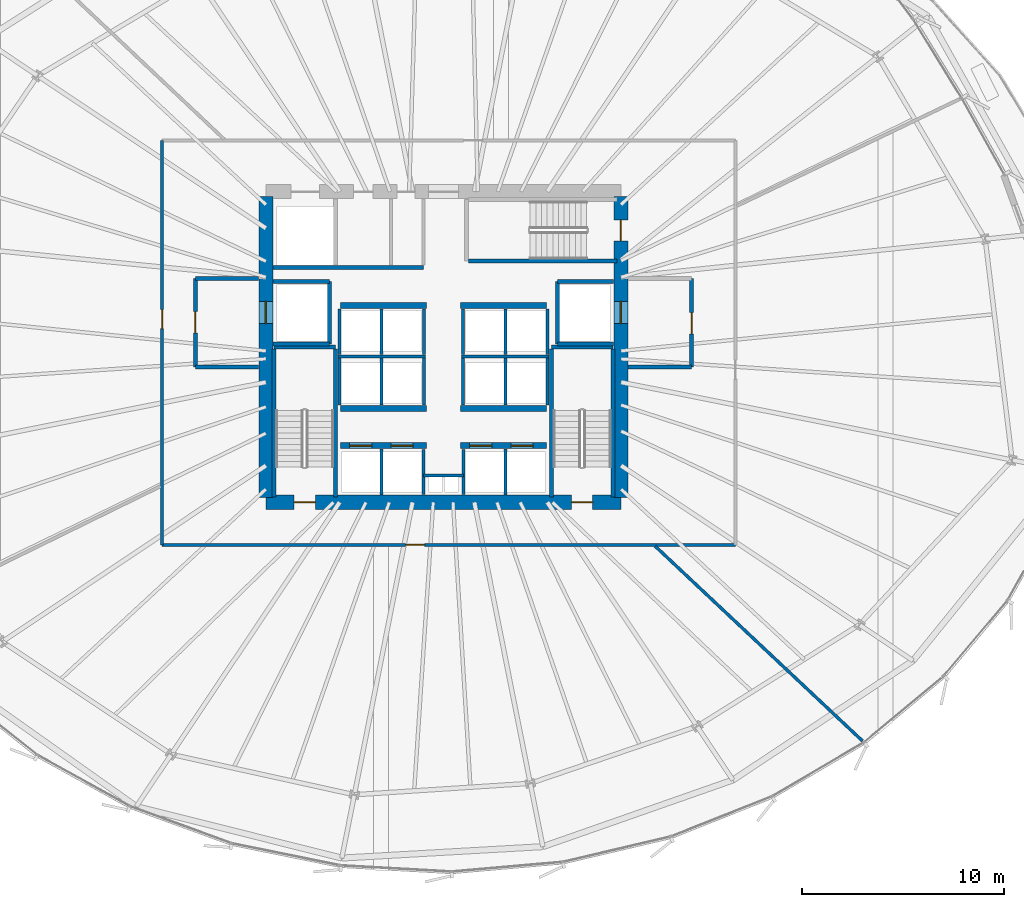
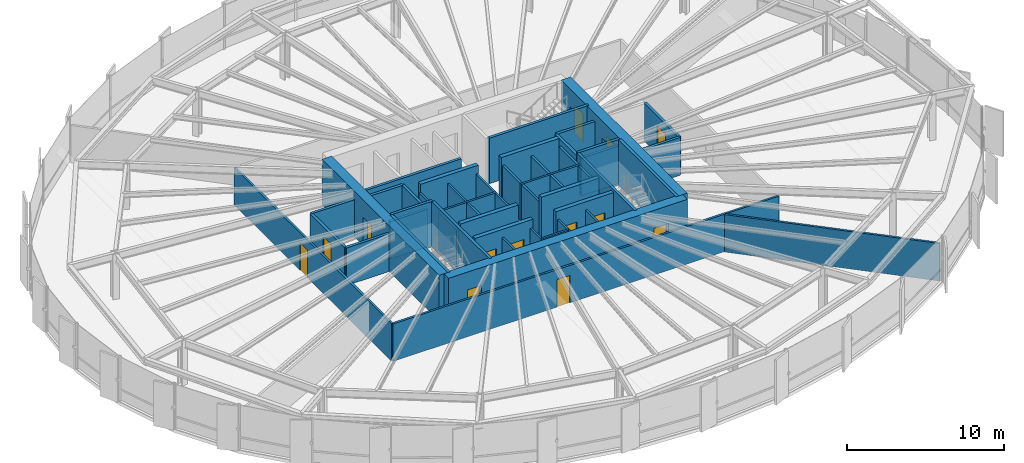
# One storey, part 31 of 39: 50 walls, 13 doors, 13 openings.
"""IFC4 building model written with IfcOpenShell, lengths in metres."""

from ifc_helpers import new_model, si_unit, direction, frame, frame_2d, origin, place, context, subcontext, project, spatial, rectangle, extrude, source, transform, mapped, material, layer, layer_set, type_object, element, fill, save


model = new_model("IFC4")

# Units and contexts
model_context = context("Model", 3, precision=1e-05, world=origin(), true_north=direction((0.0, 1.0)))
body_context = subcontext(model_context, "Body", "Model", "MODEL_VIEW")
ifc_project = project(units=[si_unit("LENGTHUNIT", "METRE"), si_unit("AREAUNIT", "SQUARE_METRE"), si_unit("VOLUMEUNIT", "CUBIC_METRE"), si_unit("PLANEANGLEUNIT", "RADIAN"), si_unit("MASSUNIT", "GRAM", prefix="KILO"), si_unit("THERMODYNAMICTEMPERATUREUNIT", "KELVIN")], contexts=[model_context])

# Site, building, storey
site_placement = place(None, origin())
site = spatial("IfcSite", under=ifc_project, at=site_placement, CompositionType="ELEMENT")
building_placement = place(site_placement, origin())
building = spatial("IfcBuilding", under=site, at=building_placement, Name="Kethvar Cultural Tower", CompositionType="ELEMENT")
storey_placement = place(building_placement, frame((0.0, 0.0, 33.39990234375)))
storey = spatial("IfcBuildingStorey", under=building, at=storey_placement, Name="L07", CompositionType="ELEMENT", Elevation=33.39990234375)

# Wall, openings, doors
ifc_material_1 = material(Name="Concrete C60/75", Category="concrete")
ifc_layer_1 = layer(ifc_material_1, 0.699951171875, Name="Concrete C60/75", Category="concrete")
ifc_layer_set_1 = layer_set([ifc_layer_1], Name="Concrete C60/75 (700 mm)")
wall_type_1 = type_object("IfcWallType", Name="WL-CORE-700", PredefinedType="SHEAR", material=ifc_layer_set_1)
wall_1_placement = place(storey_placement, frame((38.0, 20.10009765625, 0.0), z_axis=(0.0, 0.0, 1.0), x_axis=(1.0, 0.0, 0.0)))
wall_1 = element("IfcWall", 1, at=wall_1_placement, inside=storey, type_object=wall_type_1, Name="L07 Core Shear Wall S", PredefinedType="SHEAR", context=body_context, shape_type="SweptSolid", body=[
    extrude(rectangle(XDim=17.60009765625, YDim=0.699951171875, at=frame_2d((8.800048828125, 0.0))), origin(), (0.0, 0.0, 1.0), 3.550048828125),
])
opening_1_placement = place(wall_1_placement, frame((1.39990234375, 0.0, 0.0)))
opening_1 = element("IfcOpeningElement", 2, at=opening_1_placement, cuts=wall_1, Name="Opening D-L07-S1", PredefinedType="OPENING", context=body_context, shape_type="SweptSolid", body=[
    extrude(rectangle(XDim=1.050048828125, YDim=2.14990234375, at=frame_2d((0.52490234375, 1.074951171875))), frame((0.0, 0.35986328125, 0.0), z_axis=(0.0, -1.0, 0.0), x_axis=(1.0, 0.0, 0.0)), (0.0, 0.0, 1.0), 0.719970703125),
])
opening_2_placement = place(wall_1_placement, frame((15.14990234375, 0.0, 0.0)))
opening_2 = element("IfcOpeningElement", 3, at=opening_2_placement, cuts=wall_1, Name="Opening D-L07-ST2", PredefinedType="OPENING", context=body_context, shape_type="SweptSolid", body=[
    extrude(rectangle(XDim=1.050048828125, YDim=2.14990234375, at=frame_2d((0.52490234375, 1.074951171875))), frame((0.0, 0.35986328125, 0.0), z_axis=(0.0, -1.0, 0.0), x_axis=(1.0, 0.0, 0.0)), (0.0, 0.0, 1.0), 0.719970703125),
])
ifc_material_2 = material(Name="Steel S355J2", Category="steel")
door_type_1 = type_object("IfcDoorType", Name="DR-FD60-1050", OperationType="NOTDEFINED", PredefinedType="DOOR", material=ifc_material_2)
shared_shape_1 = source(origin(), body_context, "Body", "SweptSolid", [
    extrude(rectangle(XDim=1.050048828125, YDim=2.14990234375, at=frame_2d((0.52490234375, 1.074951171875))), frame((0.0, 0.02490234375, 0.0), z_axis=(0.0, -1.0, 0.0), x_axis=(1.0, 0.0, 0.0)), (0.0, 0.0, 1.0), 0.050048828125),
])
door_1_placement = place(opening_1_placement, origin())
door_1 = element("IfcDoor", 4, at=door_1_placement, inside=storey, type_object=door_type_1, Name="L07 Exit Stair 1 Door", OperationType="SINGLE_SWING_LEFT", OverallHeight=2.14990234375, OverallWidth=1.050048828125, PredefinedType="DOOR", context=body_context, shape_type="MappedRepresentation", body=[
    mapped(shared_shape_1, transform((0.0, 0.0, 0.0), scale=1.0)),
])
fill(opening_1, door_1)
door_2_placement = place(opening_2_placement, origin())
door_2 = element("IfcDoor", 5, at=door_2_placement, inside=storey, type_object=door_type_1, Name="L07 Exit Stair 2 Door", OperationType="SINGLE_SWING_RIGHT", OverallHeight=2.14990234375, OverallWidth=1.050048828125, PredefinedType="DOOR", context=body_context, shape_type="MappedRepresentation", body=[
    mapped(shared_shape_1, transform((0.0, 0.0, 0.0), scale=1.0)),
])
fill(opening_2, door_2)

# Wall, opening, door
wall_2_placement = place(storey_placement, frame((38.0, 35.260009765625, 0.0), z_axis=(0.0, 0.0, 1.0), x_axis=(0.0, -1.0, 0.0)))
wall_2 = element("IfcWall", 6, at=wall_2_placement, inside=storey, type_object=wall_type_1, Name="L07 Core Shear Wall W", PredefinedType="SHEAR", context=body_context, shape_type="SweptSolid", body=[
    extrude(rectangle(XDim=14.919921875, YDim=0.699951171875, at=frame_2d((7.4599609375, 0.0))), origin(), (0.0, 0.0, 1.0), 3.550048828125),
])
opening_3_placement = place(wall_2_placement, frame((5.2099609375, 0.0, 0.0)))
opening_3 = element("IfcOpeningElement", 7, at=opening_3_placement, cuts=wall_2, Name="Opening LD-1", PredefinedType="OPENING", context=body_context, shape_type="SweptSolid", body=[
    extrude(rectangle(XDim=1.10009765625, YDim=2.199951171875, at=frame_2d((0.550048828125, 1.10009765625))), frame((0.0, 0.35986328125, 0.0), z_axis=(0.0, -1.0, 0.0), x_axis=(1.0, 0.0, 0.0)), (0.0, 0.0, 1.0), 0.719970703125),
])
door_type_2 = type_object("IfcDoorType", Name="DR-LIFT-SLIDE-1100", OperationType="NOTDEFINED", PredefinedType="DOOR", material=ifc_material_2)
shared_shape_2 = source(origin(), body_context, "Body", "SweptSolid", [
    extrude(rectangle(XDim=1.10009765625, YDim=2.199951171875, at=frame_2d((0.550048828125, 1.10009765625))), frame((0.0, 0.02490234375, 0.0), z_axis=(0.0, -1.0, 0.0), x_axis=(1.0, 0.0, 0.0)), (0.0, 0.0, 1.0), 0.050048828125),
])
door_3_placement = place(opening_3_placement, origin())
door_3 = element("IfcDoor", 8, at=door_3_placement, inside=storey, type_object=door_type_2, Name="L07 Firefighting Lift Landing Door FFL-01", OperationType="SLIDING_TO_LEFT", OverallHeight=2.199951171875, OverallWidth=1.10009765625, PredefinedType="DOOR", context=body_context, shape_type="MappedRepresentation", body=[
    mapped(shared_shape_2, transform((0.0, 0.0, 0.0), scale=1.0)),
])
fill(opening_3, door_3)

# Wall, openings, doors
wall_3_placement = place(storey_placement, frame((55.60009765625, 20.340087890625, 0.0), z_axis=(0.0, 0.0, 1.0), x_axis=(0.0, 1.0, 0.0)))
wall_3 = element("IfcWall", 9, at=wall_3_placement, inside=storey, type_object=wall_type_1, Name="L07 Core Shear Wall E", PredefinedType="SHEAR", context=body_context, shape_type="SweptSolid", body=[
    extrude(rectangle(XDim=14.919921875, YDim=0.699951171875, at=frame_2d((7.4599609375, 0.0))), origin(), (0.0, 0.0, 1.0), 3.550048828125),
])
opening_4_placement = place(wall_3_placement, frame((12.7099609375, 0.0, 0.0)))
opening_4 = element("IfcOpeningElement", 10, at=opening_4_placement, cuts=wall_3, Name="Opening D-L07-S3", PredefinedType="OPENING", context=body_context, shape_type="SweptSolid", body=[
    extrude(rectangle(XDim=1.050048828125, YDim=2.14990234375, at=frame_2d((0.52490234375, 1.074951171875))), frame((0.0, 0.35986328125, 0.0), z_axis=(0.0, -1.0, 0.0), x_axis=(1.0, 0.0, 0.0)), (0.0, 0.0, 1.0), 0.719970703125),
])
opening_5_placement = place(wall_3_placement, frame((8.610107421875, 0.0, 0.0)))
opening_5 = element("IfcOpeningElement", 11, at=opening_5_placement, cuts=wall_3, Name="Opening LD-2", PredefinedType="OPENING", context=body_context, shape_type="SweptSolid", body=[
    extrude(rectangle(XDim=1.10009765625, YDim=2.199951171875, at=frame_2d((0.550048828125, 1.10009765625))), frame((0.0, 0.35986328125, 0.0), z_axis=(0.0, -1.0, 0.0), x_axis=(1.0, 0.0, 0.0)), (0.0, 0.0, 1.0), 0.719970703125),
])
door_4_placement = place(opening_4_placement, origin())
door_4 = element("IfcDoor", 12, at=door_4_placement, inside=storey, type_object=door_type_1, Name="L07 Exit Stair 3 Door", OperationType="SINGLE_SWING_LEFT", OverallHeight=2.14990234375, OverallWidth=1.050048828125, PredefinedType="DOOR", context=body_context, shape_type="MappedRepresentation", body=[
    mapped(shared_shape_1, transform((0.0, 0.0, 0.0), scale=1.0)),
])
fill(opening_4, door_4)
door_5_placement = place(opening_5_placement, origin())
door_5 = element("IfcDoor", 13, at=door_5_placement, inside=storey, type_object=door_type_2, Name="L07 Firefighting Lift Landing Door FFL-02", OperationType="SLIDING_TO_RIGHT", OverallHeight=2.199951171875, OverallWidth=1.10009765625, PredefinedType="DOOR", context=body_context, shape_type="MappedRepresentation", body=[
    mapped(shared_shape_2, transform((0.0, 0.0, 0.0), scale=1.0)),
])
fill(opening_5, door_5)

# Walls
ifc_material_3 = material(Name="Gypsum Fireboard Partition")
ifc_layer_2 = layer(ifc_material_3, 0.14990234375, Name="Gypsum Fireboard Partition")
ifc_layer_set_2 = layer_set([ifc_layer_2], Name="Gypsum Fireboard Partition (150 mm)")
wall_type_2 = type_object("IfcWallType", Name="WL-FIRE-150", PredefinedType="PARTITIONING", material=ifc_layer_set_2)
wall_4_placement = place(storey_placement, frame((45.800048828125, 21.419921875, 0.0), z_axis=(0.0, 0.0, 1.0), x_axis=(1.0, 0.0, 0.0)))
element("IfcWall", 14, at=wall_4_placement, inside=storey, type_object=wall_type_2, Name="L07 Core Riser Wall", PredefinedType="PARTITIONING", context=body_context, shape_type="SweptSolid", body=[
    extrude(rectangle(XDim=2.0, YDim=0.14990234375, at=frame_2d((1.0, 0.0))), origin(), (0.0, 0.0, 1.0), 2.925048828125),
])
for number, where, z_axis, x_axis, name in (
    (15, (45.800048828125, 20.47998046875, 0.0), (0.0, 0.0, 1.0), (0.0, 1.0, 0.0), "L07 Core Riser West Wall"),
    (16, (47.800048828125, 20.47998046875, 0.0), (0.0, 0.0, 1.0), (0.0, 1.0, 0.0), "L07 Core Riser East Wall"),
):
    element("IfcWall", number, at=place(storey_placement, frame(where, z_axis=z_axis, x_axis=x_axis)), inside=storey, type_object=wall_type_2, Name=name, PredefinedType="PARTITIONING", context=body_context, shape_type="SweptSolid", body=[
        extrude(rectangle(XDim=2.239990234375, YDim=0.14990234375, at=frame_2d((1.1201171875, 0.0))), origin(), (0.0, 0.0, 1.0), 2.925048828125),
    ])
for number, where, z_axis, x_axis, name in (
    (17, (43.72509765625, 20.4599609375, 0.0), (0.0, 0.0, 1.0), (0.0, 1.0, 0.0), "L07 Low-Rise Lift Shaft Divider W"),
    (18, (49.875, 20.4599609375, 0.0), (0.0, 0.0, 1.0), (0.0, 1.0, 0.0), "L07 Low-Rise Lift Shaft Divider E"),
):
    element("IfcWall", number, at=place(storey_placement, frame(where, z_axis=z_axis, x_axis=x_axis)), inside=storey, type_object=wall_type_2, Name=name, PredefinedType="PARTITIONING", context=body_context, shape_type="SweptSolid", body=[
        extrude(rectangle(XDim=2.27001953125, YDim=0.14990234375, at=frame_2d((1.135009765625, 0.0))), origin(), (0.0, 0.0, 1.0), 2.925048828125),
    ])
wall_5_placement = place(storey_placement, frame((41.580078125, 27.324951171875, 0.0), z_axis=(0.0, 0.0, 1.0), x_axis=(1.0, 0.0, 0.0)))
element("IfcWall", 19, at=wall_5_placement, inside=storey, type_object=wall_type_2, Name="L07 Mid-High Lift Shaft Back Wall W", PredefinedType="PARTITIONING", context=body_context, shape_type="SweptSolid", body=[
    extrude(rectangle(XDim=4.31982421875, YDim=0.14990234375, at=frame_2d((2.159912109375, 0.0))), origin(), (0.0, 0.0, 1.0), 2.925048828125),
])
wall_6_placement = place(storey_placement, frame((47.699951171875, 27.324951171875, 0.0), z_axis=(0.0, 0.0, 1.0), x_axis=(1.0, 0.0, 0.0)))
element("IfcWall", 20, at=wall_6_placement, inside=storey, type_object=wall_type_2, Name="L07 Mid-High Lift Shaft Back Wall E", PredefinedType="PARTITIONING", context=body_context, shape_type="SweptSolid", body=[
    extrude(rectangle(XDim=4.320068359375, YDim=0.14990234375, at=frame_2d((2.16015625, 0.0))), origin(), (0.0, 0.0, 1.0), 2.925048828125),
])
for number, where, z_axis, x_axis, name in (
    (21, (41.64990234375, 24.919921875, 0.0), (0.0, 0.0, 1.0), (0.0, 1.0, 0.0), "L07 Mid-Rise Lift Shaft Outer Wall W"),
    (22, (43.72509765625, 24.919921875, 0.0), (0.0, 0.0, 1.0), (0.0, 1.0, 0.0), "L07 Mid-Rise Lift Shaft Divider W"),
    (23, (45.824951171875, 24.919921875, 0.0), (0.0, 0.0, 1.0), (0.0, 1.0, 0.0), "L07 Mid-Rise Lift Shaft Concourse Wall W"),
    (24, (47.77490234375, 24.919921875, 0.0), (0.0, 0.0, 1.0), (0.0, 1.0, 0.0), "L07 Mid-Rise Lift Shaft Concourse Wall E"),
    (25, (49.875, 24.919921875, 0.0), (0.0, 0.0, 1.0), (0.0, 1.0, 0.0), "L07 Mid-Rise Lift Shaft Divider E"),
    (26, (51.949951171875, 24.919921875, 0.0), (0.0, 0.0, 1.0), (0.0, 1.0, 0.0), "L07 Mid-Rise Lift Shaft Outer Wall E"),
):
    element("IfcWall", number, at=place(storey_placement, frame(where, z_axis=z_axis, x_axis=x_axis)), inside=storey, type_object=wall_type_2, Name=name, PredefinedType="PARTITIONING", context=body_context, shape_type="SweptSolid", body=[
        extrude(rectangle(XDim=2.320068359375, YDim=0.14990234375, at=frame_2d((1.16015625, 0.0))), origin(), (0.0, 0.0, 1.0), 2.925048828125),
    ])
for number, where, z_axis, x_axis, name in (
    (27, (41.64990234375, 27.409912109375, 0.0), (0.0, 0.0, 1.0), (0.0, 1.0, 0.0), "L07 High-Rise Lift Shaft Outer Wall W"),
    (28, (43.72509765625, 27.409912109375, 0.0), (0.0, 0.0, 1.0), (0.0, 1.0, 0.0), "L07 High-Rise Lift Shaft Divider W"),
    (29, (45.824951171875, 27.409912109375, 0.0), (0.0, 0.0, 1.0), (0.0, 1.0, 0.0), "L07 High-Rise Lift Shaft Concourse Wall W"),
    (30, (47.77490234375, 27.409912109375, 0.0), (0.0, 0.0, 1.0), (0.0, 1.0, 0.0), "L07 High-Rise Lift Shaft Concourse Wall E"),
    (31, (49.875, 27.409912109375, 0.0), (0.0, 0.0, 1.0), (0.0, 1.0, 0.0), "L07 High-Rise Lift Shaft Divider E"),
    (32, (51.949951171875, 27.409912109375, 0.0), (0.0, 0.0, 1.0), (0.0, 1.0, 0.0), "L07 High-Rise Lift Shaft Outer Wall E"),
):
    element("IfcWall", number, at=place(storey_placement, frame(where, z_axis=z_axis, x_axis=x_axis)), inside=storey, type_object=wall_type_2, Name=name, PredefinedType="PARTITIONING", context=body_context, shape_type="SweptSolid", body=[
        extrude(rectangle(XDim=2.27001953125, YDim=0.14990234375, at=frame_2d((1.135009765625, 0.0))), origin(), (0.0, 0.0, 1.0), 2.925048828125),
    ])

# Wall, opening, door
wall_7_placement = place(storey_placement, frame((32.85009765625, 17.97998046875, 0.0), z_axis=(0.0, 0.0, 1.0), x_axis=(1.0, 0.0, 0.0)))
wall_7 = element("IfcWall", 33, at=wall_7_placement, inside=storey, type_object=wall_type_2, Name="L07 Corridor Rated Wall S", PredefinedType="PARTITIONING", context=body_context, shape_type="SweptSolid", body=[
    extrude(rectangle(XDim=28.419921875, YDim=0.14990234375, at=frame_2d((14.2099609375, 0.0))), origin(), (0.0, 0.0, 1.0), 2.925048828125),
])
opening_6_placement = place(wall_7_placement, frame((12.06982421875, 0.0, 0.0)))
opening_6 = element("IfcOpeningElement", 34, at=opening_6_placement, cuts=wall_7, Name="Opening D-L07-01", PredefinedType="OPENING", context=body_context, shape_type="SweptSolid", body=[
    extrude(rectangle(XDim=0.949951171875, YDim=2.14990234375, at=frame_2d((0.47509765625, 1.074951171875))), frame((0.0, 0.0849609375, 0.0), z_axis=(0.0, -1.0, 0.0), x_axis=(1.0, 0.0, 0.0)), (0.0, 0.0, 1.0), 0.169921875),
])
ifc_material_4 = material(Name="Architectural Oak Timber", Category="wood")
door_type_3 = type_object("IfcDoorType", Name="DR-FD30-950", OperationType="NOTDEFINED", PredefinedType="DOOR", material=ifc_material_4)
shared_shape_3 = source(origin(), body_context, "Body", "SweptSolid", [
    extrude(rectangle(XDim=0.949951171875, YDim=2.14990234375, at=frame_2d((0.47509765625, 1.074951171875))), frame((0.0, 0.02490234375, 0.0), z_axis=(0.0, -1.0, 0.0), x_axis=(1.0, 0.0, 0.0)), (0.0, 0.0, 1.0), 0.050048828125),
])
door_6_placement = place(opening_6_placement, origin())
door_6 = element("IfcDoor", 35, at=door_6_placement, inside=storey, type_object=door_type_3, Name="L07 Permanent Collection Library 01 Door", OperationType="SINGLE_SWING_RIGHT", OverallHeight=2.14990234375, OverallWidth=0.949951171875, PredefinedType="DOOR", context=body_context, shape_type="MappedRepresentation", body=[
    mapped(shared_shape_3, transform((0.0, 0.0, 0.0), scale=1.0)),
])
fill(opening_6, door_6)

wall_8_placement = place(storey_placement, frame((32.85009765625, 38.0400390625, 0.0), z_axis=(0.0, 0.0, 1.0), x_axis=(0.0, -1.0, 0.0)))
wall_8 = element("IfcWall", 36, at=wall_8_placement, inside=storey, type_object=wall_type_2, Name="L07 Corridor Rated Wall W", PredefinedType="PARTITIONING", context=body_context, shape_type="SweptSolid", body=[
    extrude(rectangle(XDim=20.06005859375, YDim=0.14990234375, at=frame_2d((10.030029296875, 0.0))), origin(), (0.0, 0.0, 1.0), 2.925048828125),
])
opening_7_placement = place(wall_8_placement, frame((8.387451171875, 0.0, 0.0)))
opening_7 = element("IfcOpeningElement", 37, at=opening_7_placement, cuts=wall_8, Name="Opening D-L07-04", PredefinedType="OPENING", context=body_context, shape_type="SweptSolid", body=[
    extrude(rectangle(XDim=0.949951171875, YDim=2.14990234375, at=frame_2d((0.47509765625, 1.074951171875))), frame((0.0, 0.0849609375, 0.0), z_axis=(0.0, -1.0, 0.0), x_axis=(1.0, 0.0, 0.0)), (0.0, 0.0, 1.0), 0.169921875),
])
door_7_placement = place(opening_7_placement, origin())
door_7 = element("IfcDoor", 38, at=door_7_placement, inside=storey, type_object=door_type_3, Name="L07 Academic Study Lounge 04 Door", OperationType="SINGLE_SWING_LEFT", OverallHeight=2.14990234375, OverallWidth=0.949951171875, PredefinedType="DOOR", context=body_context, shape_type="MappedRepresentation", body=[
    mapped(shared_shape_3, transform((0.0, 0.0, 0.0), scale=1.0)),
])
fill(opening_7, door_7)

# Walls
ifc_material_5 = material(Name="Concrete C40/50", Category="concrete")
ifc_layer_3 = layer(ifc_material_5, 0.199951171875, Name="Concrete C40/50", Category="concrete")
ifc_layer_set_3 = layer_set([ifc_layer_3], Name="Concrete C40/50 (200 mm)")
wall_type_3 = type_object("IfcWallType", Name="WL-FIRE-200", PredefinedType="PARTITIONING", material=ifc_layer_set_3)
wall_9_placement = place(storey_placement, frame((41.14990234375, 27.949951171875, 0.0), z_axis=(0.0, 0.0, 1.0), x_axis=(0.0, 1.0, 0.0)))
element("IfcWall", 39, at=wall_9_placement, inside=storey, type_object=wall_type_3, Name="L07 FFL-01 Shaft Inner Wall", PredefinedType="PARTITIONING", context=body_context, shape_type="SweptSolid", body=[
    extrude(rectangle(XDim=3.10009765625, YDim=0.199951171875, at=frame_2d((1.550048828125, 0.0))), origin(), (0.0, 0.0, 1.0), 2.925048828125),
])
for number, where, z_axis, x_axis, name in (
    (40, (38.360107421875, 27.949951171875, 0.0), (0.0, 0.0, 1.0), (1.0, 0.0, 0.0), "L07 FFL-01 Shaft South Wall"),
    (41, (38.360107421875, 31.050048828125, 0.0), (0.0, 0.0, 1.0), (1.0, 0.0, 0.0), "L07 FFL-01 Shaft North Wall"),
):
    element("IfcWall", number, at=place(storey_placement, frame(where, z_axis=z_axis, x_axis=x_axis)), inside=storey, type_object=wall_type_3, Name=name, PredefinedType="PARTITIONING", context=body_context, shape_type="SweptSolid", body=[
        extrude(rectangle(XDim=2.789794921875, YDim=0.199951171875, at=frame_2d((1.39501953125, 0.0))), origin(), (0.0, 0.0, 1.0), 2.925048828125),
    ])

# Wall, opening, door
wall_10_placement = place(storey_placement, frame((34.5, 31.199951171875, 0.0), z_axis=(0.0, 0.0, 1.0), x_axis=(0.0, -1.0, 0.0)))
wall_10 = element("IfcWall", 42, at=wall_10_placement, inside=storey, type_object=wall_type_3, Name="L07 Firefighting Lobby 1 Wall", PredefinedType="PARTITIONING", context=body_context, shape_type="SweptSolid", body=[
    extrude(rectangle(XDim=4.39990234375, YDim=0.199951171875, at=frame_2d((2.199951171875, 0.0))), origin(), (0.0, 0.0, 1.0), 2.925048828125),
])
opening_8_placement = place(wall_10_placement, frame((1.64990234375, 0.0, 0.0)))
opening_8 = element("IfcOpeningElement", 43, at=opening_8_placement, cuts=wall_10, Name="Opening D-L07-F1", PredefinedType="OPENING", context=body_context, shape_type="SweptSolid", body=[
    extrude(rectangle(XDim=1.050048828125, YDim=2.14990234375, at=frame_2d((0.52490234375, 1.074951171875))), frame((0.0, 0.10986328125, 0.0), z_axis=(0.0, -1.0, 0.0), x_axis=(1.0, 0.0, 0.0)), (0.0, 0.0, 1.0), 0.219970703125),
])
door_8_placement = place(opening_8_placement, origin())
door_8 = element("IfcDoor", 44, at=door_8_placement, inside=storey, type_object=door_type_1, Name="L07 Firefighting Lobby 1 Fire Door", OperationType="SINGLE_SWING_LEFT", OverallHeight=2.14990234375, OverallWidth=1.050048828125, PredefinedType="DOOR", context=body_context, shape_type="MappedRepresentation", body=[
    mapped(shared_shape_1, transform((0.0, 0.0, 0.0), scale=1.0)),
])
fill(opening_8, door_8)

# Walls
for number, where, z_axis, x_axis, name in (
    (45, (34.5, 26.800048828125, 0.0), (0.0, 0.0, 1.0), (1.0, 0.0, 0.0), "L07 FF Lobby 1 South Wall"),
    (46, (34.5, 31.199951171875, 0.0), (0.0, 0.0, 1.0), (1.0, 0.0, 0.0), "L07 FF Lobby 1 North Wall"),
):
    element("IfcWall", number, at=place(storey_placement, frame(where, z_axis=z_axis, x_axis=x_axis)), inside=storey, type_object=wall_type_3, Name=name, PredefinedType="PARTITIONING", context=body_context, shape_type="SweptSolid", body=[
        extrude(rectangle(XDim=3.139892578125, YDim=0.199951171875, at=frame_2d((1.56982421875, 0.0))), origin(), (0.0, 0.0, 1.0), 2.925048828125),
    ])
wall_11_placement = place(storey_placement, frame((52.449951171875, 27.949951171875, 0.0), z_axis=(0.0, 0.0, 1.0), x_axis=(0.0, 1.0, 0.0)))
element("IfcWall", 47, at=wall_11_placement, inside=storey, type_object=wall_type_3, Name="L07 FFL-02 Shaft Inner Wall", PredefinedType="PARTITIONING", context=body_context, shape_type="SweptSolid", body=[
    extrude(rectangle(XDim=3.10009765625, YDim=0.199951171875, at=frame_2d((1.550048828125, 0.0))), origin(), (0.0, 0.0, 1.0), 2.925048828125),
])
for number, where, z_axis, x_axis, name in (
    (48, (52.449951171875, 27.949951171875, 0.0), (0.0, 0.0, 1.0), (1.0, 0.0, 0.0), "L07 FFL-02 Shaft South Wall"),
    (49, (52.449951171875, 31.050048828125, 0.0), (0.0, 0.0, 1.0), (1.0, 0.0, 0.0), "L07 FFL-02 Shaft North Wall"),
):
    element("IfcWall", number, at=place(storey_placement, frame(where, z_axis=z_axis, x_axis=x_axis)), inside=storey, type_object=wall_type_3, Name=name, PredefinedType="PARTITIONING", context=body_context, shape_type="SweptSolid", body=[
        extrude(rectangle(XDim=2.7900390625, YDim=0.199951171875, at=frame_2d((1.39501953125, 0.0))), origin(), (0.0, 0.0, 1.0), 2.925048828125),
    ])

# Wall, opening, door
wall_12_placement = place(storey_placement, frame((59.10009765625, 26.800048828125, 0.0), z_axis=(0.0, 0.0, 1.0), x_axis=(0.0, 1.0, 0.0)))
wall_12 = element("IfcWall", 50, at=wall_12_placement, inside=storey, type_object=wall_type_3, Name="L07 Firefighting Lobby 2 Wall", PredefinedType="PARTITIONING", context=body_context, shape_type="SweptSolid", body=[
    extrude(rectangle(XDim=4.39990234375, YDim=0.199951171875, at=frame_2d((2.199951171875, 0.0))), origin(), (0.0, 0.0, 1.0), 2.925048828125),
])
opening_9_placement = place(wall_12_placement, frame((1.64990234375, 0.0, 0.0)))
opening_9 = element("IfcOpeningElement", 51, at=opening_9_placement, cuts=wall_12, Name="Opening D-L07-F2", PredefinedType="OPENING", context=body_context, shape_type="SweptSolid", body=[
    extrude(rectangle(XDim=1.050048828125, YDim=2.14990234375, at=frame_2d((0.52490234375, 1.074951171875))), frame((0.0, 0.10986328125, 0.0), z_axis=(0.0, -1.0, 0.0), x_axis=(1.0, 0.0, 0.0)), (0.0, 0.0, 1.0), 0.219970703125),
])
door_9_placement = place(opening_9_placement, origin())
door_9 = element("IfcDoor", 52, at=door_9_placement, inside=storey, type_object=door_type_1, Name="L07 Firefighting Lobby 2 Fire Door", OperationType="SINGLE_SWING_LEFT", OverallHeight=2.14990234375, OverallWidth=1.050048828125, PredefinedType="DOOR", context=body_context, shape_type="MappedRepresentation", body=[
    mapped(shared_shape_1, transform((0.0, 0.0, 0.0), scale=1.0)),
])
fill(opening_9, door_9)

# Walls
wall_13_placement = place(storey_placement, frame((55.9599609375, 26.800048828125, 0.0), z_axis=(0.0, 0.0, 1.0), x_axis=(1.0, 0.0, 0.0)))
element("IfcWall", 53, at=wall_13_placement, inside=storey, type_object=wall_type_3, Name="L07 FF Lobby 2 South Wall", PredefinedType="PARTITIONING", context=body_context, shape_type="SweptSolid", body=[
    extrude(rectangle(XDim=3.14013671875, YDim=0.199951171875, at=frame_2d((1.570068359375, 0.0))), origin(), (0.0, 0.0, 1.0), 2.925048828125),
])
wall_14_placement = place(storey_placement, frame((38.360107421875, 31.72998046875, 0.0), z_axis=(0.0, 0.0, 1.0), x_axis=(1.0, 0.0, 0.0)))
element("IfcWall", 54, at=wall_14_placement, inside=storey, type_object=wall_type_3, Name="L07 North Core Sanitary South Wall", PredefinedType="PARTITIONING", context=body_context, shape_type="SweptSolid", body=[
    extrude(rectangle(XDim=7.43994140625, YDim=0.199951171875, at=frame_2d((3.719970703125, 0.0))), origin(), (0.0, 0.0, 1.0), 2.925048828125),
])
ifc_material_6 = material(Name="Gypsum Acoustic Partition")
ifc_layer_4 = layer(ifc_material_6, 0.14990234375, Name="Gypsum Acoustic Partition")
ifc_layer_set_4 = layer_set([ifc_layer_4], Name="Gypsum Acoustic Partition (150 mm)")
wall_type_4 = type_object("IfcWallType", Name="WL-PART-150", PredefinedType="PARTITIONING", material=ifc_layer_set_4)
wall_15_placement = place(storey_placement, frame((57.28955078125, 17.92529296875, 0.0), z_axis=(0.0, 0.0, 1.0), x_axis=(0.728808020187, -0.684718095066, 0.0)))
element("IfcWall", 55, at=wall_15_placement, inside=storey, type_object=wall_type_4, Name="L07 Radial Partition Wall 02", PredefinedType="PARTITIONING", context=body_context, shape_type="SweptSolid", body=[
    extrude(rectangle(XDim=14.103515625, YDim=0.14990234375, at=frame_2d((7.0517578125, 0.0))), origin(), (0.0, 0.0, 1.0), 2.925048828125),
])

# Wall, openings, doors
ifc_material_7 = material(Name="Concrete C50/60", Category="concrete")
ifc_layer_5 = layer(ifc_material_7, 0.300048828125, Name="Concrete C50/60", Category="concrete")
ifc_layer_set_5 = layer_set([ifc_layer_5], Name="Concrete C50/60 (300 mm)")
wall_type_5 = type_object("IfcWallType", Name="WL-SHAFT-300", PredefinedType="SHEAR", material=ifc_layer_set_5)
wall_16_placement = place(storey_placement, frame((41.699951171875, 22.89990234375, 0.0), z_axis=(0.0, 0.0, 1.0), x_axis=(1.0, 0.0, 0.0)))
wall_16 = element("IfcWall", 56, at=wall_16_placement, inside=storey, type_object=wall_type_5, Name="L07 Core Lift Spine Wall MID1W", PredefinedType="SHEAR", context=body_context, shape_type="SweptSolid", body=[
    extrude(rectangle(XDim=4.25, YDim=0.300048828125, at=frame_2d((2.125, 0.0))), origin(), (0.0, 0.0, 1.0), 3.550048828125),
])
opening_10_placement = place(wall_16_placement, frame((0.449951171875, 0.0, 0.0)))
opening_10 = element("IfcOpeningElement", 57, at=opening_10_placement, cuts=wall_16, Name="Opening LD-L1", PredefinedType="OPENING", context=body_context, shape_type="SweptSolid", body=[
    extrude(rectangle(XDim=1.10009765625, YDim=2.199951171875, at=frame_2d((0.550048828125, 1.10009765625))), frame((0.0, 0.159912109375, 0.0), z_axis=(0.0, -1.0, 0.0), x_axis=(1.0, 0.0, 0.0)), (0.0, 0.0, 1.0), 0.320068359375),
])
opening_11_placement = place(wall_16_placement, frame((2.5, 0.0, 0.0)))
opening_11 = element("IfcOpeningElement", 58, at=opening_11_placement, cuts=wall_16, Name="Opening LD-L2", PredefinedType="OPENING", context=body_context, shape_type="SweptSolid", body=[
    extrude(rectangle(XDim=1.10009765625, YDim=2.199951171875, at=frame_2d((0.550048828125, 1.10009765625))), frame((0.0, 0.159912109375, 0.0), z_axis=(0.0, -1.0, 0.0), x_axis=(1.0, 0.0, 0.0)), (0.0, 0.0, 1.0), 0.320068359375),
])
door_10_placement = place(opening_10_placement, origin())
door_10 = element("IfcDoor", 59, at=door_10_placement, inside=storey, type_object=door_type_2, Name="L07 Low-Rise Lift Landing Door L1", OperationType="SLIDING_TO_LEFT", OverallHeight=2.199951171875, OverallWidth=1.10009765625, PredefinedType="DOOR", context=body_context, shape_type="MappedRepresentation", body=[
    mapped(shared_shape_2, transform((0.0, 0.0, 0.0), scale=1.0)),
])
fill(opening_10, door_10)
door_11_placement = place(opening_11_placement, origin())
door_11 = element("IfcDoor", 60, at=door_11_placement, inside=storey, type_object=door_type_2, Name="L07 Low-Rise Lift Landing Door L2", OperationType="SLIDING_TO_LEFT", OverallHeight=2.199951171875, OverallWidth=1.10009765625, PredefinedType="DOOR", context=body_context, shape_type="MappedRepresentation", body=[
    mapped(shared_shape_2, transform((0.0, 0.0, 0.0), scale=1.0)),
])
fill(opening_11, door_11)

wall_17_placement = place(storey_placement, frame((47.64990234375, 22.89990234375, 0.0), z_axis=(0.0, 0.0, 1.0), x_axis=(1.0, 0.0, 0.0)))
wall_17 = element("IfcWall", 61, at=wall_17_placement, inside=storey, type_object=wall_type_5, Name="L07 Core Lift Spine Wall MID1E", PredefinedType="SHEAR", context=body_context, shape_type="SweptSolid", body=[
    extrude(rectangle(XDim=4.25, YDim=0.300048828125, at=frame_2d((2.125, 0.0))), origin(), (0.0, 0.0, 1.0), 3.550048828125),
])
opening_12_placement = place(wall_17_placement, frame((0.449951171875, 0.0, 0.0)))
opening_12 = element("IfcOpeningElement", 62, at=opening_12_placement, cuts=wall_17, Name="Opening LD-L3", PredefinedType="OPENING", context=body_context, shape_type="SweptSolid", body=[
    extrude(rectangle(XDim=1.10009765625, YDim=2.199951171875, at=frame_2d((0.550048828125, 1.10009765625))), frame((0.0, 0.159912109375, 0.0), z_axis=(0.0, -1.0, 0.0), x_axis=(1.0, 0.0, 0.0)), (0.0, 0.0, 1.0), 0.320068359375),
])
opening_13_placement = place(wall_17_placement, frame((2.5, 0.0, 0.0)))
opening_13 = element("IfcOpeningElement", 63, at=opening_13_placement, cuts=wall_17, Name="Opening LD-L4", PredefinedType="OPENING", context=body_context, shape_type="SweptSolid", body=[
    extrude(rectangle(XDim=1.10009765625, YDim=2.199951171875, at=frame_2d((0.550048828125, 1.10009765625))), frame((0.0, 0.159912109375, 0.0), z_axis=(0.0, -1.0, 0.0), x_axis=(1.0, 0.0, 0.0)), (0.0, 0.0, 1.0), 0.320068359375),
])
door_12_placement = place(opening_12_placement, origin())
door_12 = element("IfcDoor", 64, at=door_12_placement, inside=storey, type_object=door_type_2, Name="L07 Low-Rise Lift Landing Door L3", OperationType="SLIDING_TO_LEFT", OverallHeight=2.199951171875, OverallWidth=1.10009765625, PredefinedType="DOOR", context=body_context, shape_type="MappedRepresentation", body=[
    mapped(shared_shape_2, transform((0.0, 0.0, 0.0), scale=1.0)),
])
fill(opening_12, door_12)
door_13_placement = place(opening_13_placement, origin())
door_13 = element("IfcDoor", 65, at=door_13_placement, inside=storey, type_object=door_type_2, Name="L07 Low-Rise Lift Landing Door L4", OperationType="SLIDING_TO_LEFT", OverallHeight=2.199951171875, OverallWidth=1.10009765625, PredefinedType="DOOR", context=body_context, shape_type="MappedRepresentation", body=[
    mapped(shared_shape_2, transform((0.0, 0.0, 0.0), scale=1.0)),
])
fill(opening_13, door_13)

# Walls
for number, where, z_axis, x_axis, name in (
    (66, (41.699951171875, 24.75, 0.0), (0.0, 0.0, 1.0), (1.0, 0.0, 0.0), "L07 Core Lift Spine Wall MID2W"),
    (67, (47.64990234375, 24.75, 0.0), (0.0, 0.0, 1.0), (1.0, 0.0, 0.0), "L07 Core Lift Spine Wall MID2E"),
    (68, (41.699951171875, 29.85009765625, 0.0), (0.0, 0.0, 1.0), (1.0, 0.0, 0.0), "L07 Core Lift Spine Wall MID3W"),
    (69, (47.64990234375, 29.85009765625, 0.0), (0.0, 0.0, 1.0), (1.0, 0.0, 0.0), "L07 Core Lift Spine Wall MID3E"),
):
    element("IfcWall", number, at=place(storey_placement, frame(where, z_axis=z_axis, x_axis=x_axis)), inside=storey, type_object=wall_type_5, Name=name, PredefinedType="SHEAR", context=body_context, shape_type="SweptSolid", body=[
        extrude(rectangle(XDim=4.25, YDim=0.300048828125, at=frame_2d((2.125, 0.0))), origin(), (0.0, 0.0, 1.0), 3.550048828125),
    ])
ifc_layer_6 = layer(ifc_material_7, 0.199951171875, Name="Concrete C50/60", Category="concrete")
ifc_layer_set_6 = layer_set([ifc_layer_6], Name="Concrete C50/60 (200 mm)")
wall_type_6 = type_object("IfcWallType", Name="WL-STSHAFT-200", PredefinedType="SHEAR", material=ifc_layer_set_6)
wall_18_placement = place(storey_placement, frame((38.389892578125, 27.800048828125, 0.0), z_axis=(0.0, 0.0, 1.0), x_axis=(1.0, 0.0, 0.0)))
element("IfcWall", 70, at=wall_18_placement, inside=storey, type_object=wall_type_6, Name="L07 ST-01 Stair Shaft Wall FAR", PredefinedType="SHEAR", context=body_context, shape_type="SweptSolid", body=[
    extrude(rectangle(XDim=3.06005859375, YDim=0.199951171875, at=frame_2d((1.530029296875, 0.0))), origin(), (0.0, 0.0, 1.0), 3.550048828125),
])
for number, where, z_axis, x_axis, name in (
    (71, (41.449951171875, 27.699951171875, 0.0), (0.0, 0.0, 1.0), (0.0, -1.0, 0.0), "L07 ST-01 Stair Shaft Wall LEFT"),
    (72, (38.389892578125, 20.35009765625, 0.0), (0.0, 0.0, 1.0), (0.0, 1.0, 0.0), "L07 ST-01 Stair Shaft Wall RIGHT"),
):
    element("IfcWall", number, at=place(storey_placement, frame(where, z_axis=z_axis, x_axis=x_axis)), inside=storey, type_object=wall_type_6, Name=name, PredefinedType="SHEAR", context=body_context, shape_type="SweptSolid", body=[
        extrude(rectangle(XDim=7.349853515625, YDim=0.199951171875, at=frame_2d((3.6748046875, 0.0))), origin(), (0.0, 0.0, 1.0), 3.550048828125),
    ])
wall_19_placement = place(storey_placement, frame((52.14990234375, 27.800048828125, 0.0), z_axis=(0.0, 0.0, 1.0), x_axis=(1.0, 0.0, 0.0)))
element("IfcWall", 73, at=wall_19_placement, inside=storey, type_object=wall_type_6, Name="L07 ST-02 Stair Shaft Wall FAR", PredefinedType="SHEAR", context=body_context, shape_type="SweptSolid", body=[
    extrude(rectangle(XDim=3.06005859375, YDim=0.199951171875, at=frame_2d((1.530029296875, 0.0))), origin(), (0.0, 0.0, 1.0), 3.550048828125),
])
for number, where, z_axis, x_axis, name in (
    (74, (55.2099609375, 27.699951171875, 0.0), (0.0, 0.0, 1.0), (0.0, -1.0, 0.0), "L07 ST-02 Stair Shaft Wall LEFT"),
    (75, (52.14990234375, 20.35009765625, 0.0), (0.0, 0.0, 1.0), (0.0, 1.0, 0.0), "L07 ST-02 Stair Shaft Wall RIGHT"),
    (76, (55.39990234375, 32.050048828125, 0.0), (0.0, 0.0, 1.0), (-1.0, 0.0, 0.0), "L07 ST-03 Stair Shaft Wall RIGHT"),
):
    element("IfcWall", number, at=place(storey_placement, frame(where, z_axis=z_axis, x_axis=x_axis)), inside=storey, type_object=wall_type_6, Name=name, PredefinedType="SHEAR", context=body_context, shape_type="SweptSolid", body=[
        extrude(rectangle(XDim=7.349853515625, YDim=0.199951171875, at=frame_2d((3.6748046875, 0.0))), origin(), (0.0, 0.0, 1.0), 3.550048828125),
    ])

save(model, "model.ifc")
